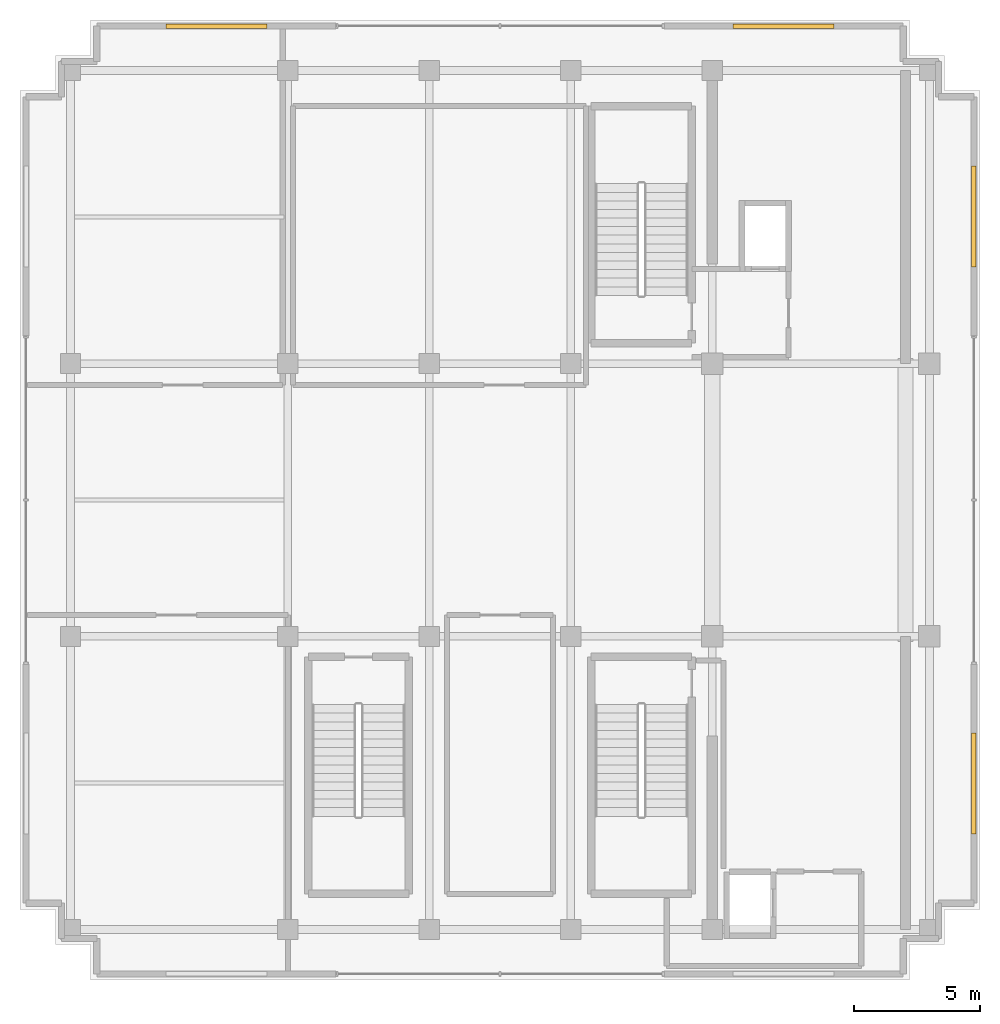
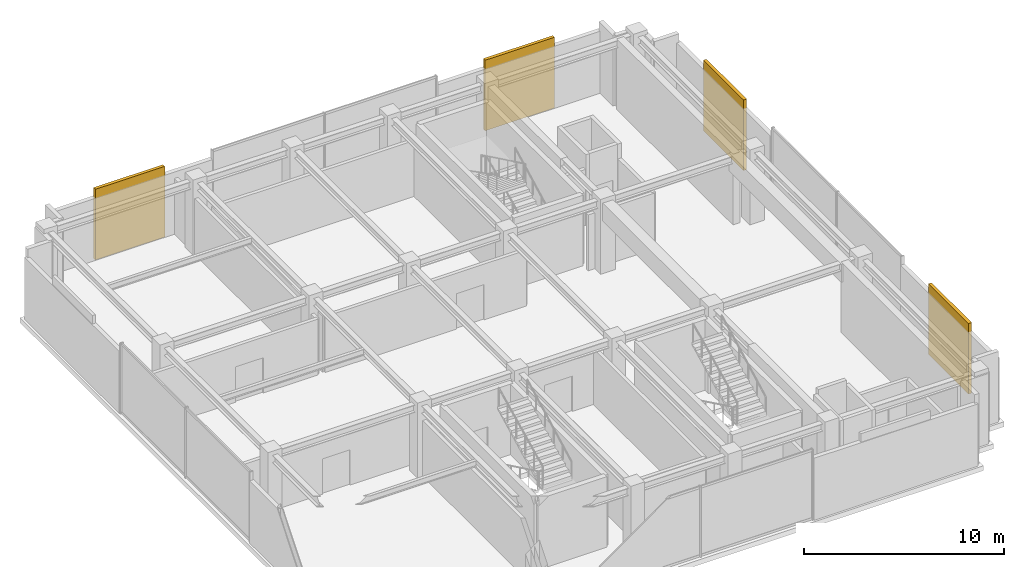
# One storey, part 18 of 18: 4 shading devices.
"""IFC4 building model written with IfcOpenShell, lengths in metres."""

from ifc_helpers import new_model, si_unit, direction, frame, origin, origin_2d, place, context, subcontext, project, spatial, rectangle, extrude, source, transform, mapped, material, layer, layer_set, type_object, element, save


model = new_model("IFC4")

# Units and contexts
model_context = context("Model", 3, precision=1e-05, world=origin(), true_north=direction((0.0, 1.0)))
body_context = subcontext(model_context, "Body", "Model", "MODEL_VIEW")
ifc_project = project(units=[si_unit("LENGTHUNIT", "METRE"), si_unit("AREAUNIT", "SQUARE_METRE"), si_unit("VOLUMEUNIT", "CUBIC_METRE"), si_unit("PLANEANGLEUNIT", "RADIAN"), si_unit("MASSUNIT", "GRAM", prefix="KILO")], contexts=[model_context])

# Site, building, storey
site_placement = place(None, origin())
site = spatial("IfcSite", under=ifc_project, at=site_placement, CompositionType="ELEMENT")
building_placement = place(site_placement, origin())
building = spatial("IfcBuilding", under=site, at=building_placement, Name="Nahalor Promenade Grand Hotel", CompositionType="ELEMENT")
storey_placement = place(building_placement, frame((0.0, 0.0, 366.25)))
storey = spatial("IfcBuildingStorey", under=building, at=storey_placement, Name="L93", CompositionType="ELEMENT", Elevation=366.25)

# Shading devices
ifc_material = material(Name="Anodised Bronze Aluminium EN AW-6063 T6", Category="aluminium")
ifc_layer = layer(ifc_material, 0.179931640625)
ifc_layer_set = layer_set([ifc_layer], Name="Anodised Bronze Aluminium EN AW-6063 T6")
shading_device_type = type_object("IfcShadingDeviceType", Name="Shade-PlantLouvre-Bronze", PredefinedType="USERDEFINED", material=ifc_layer_set)
shared_shape = source(origin(), body_context, "Body", "SweptSolid", [
    extrude(rectangle(XDim=4.0, YDim=0.179931640625, at=origin_2d()), origin(), (0.0, 0.0, 1.0), 4.300048828125),
])
for number, where, z_axis, x_axis, name in (
    (1, (-11.22998046875, 18.760009765625, 0.0), (0.0, 0.0, 1.0), (1.0, 0.0, 0.0), "LV-L93-NL"),
    (2, (11.22998046875, 18.760009765625, 0.0), (0.0, 0.0, 1.0), (1.0, 0.0, 0.0), "LV-L93-NR"),
    (3, (18.760009765625, -11.22998046875, 0.0), (0.0, 0.0, 1.0), (0.0, 1.0, 0.0), "LV-L93-EL"),
    (4, (18.760009765625, 11.22998046875, 0.0), (0.0, 0.0, 1.0), (0.0, 1.0, 0.0), "LV-L93-ER"),
):
    element("IfcShadingDevice", number, at=place(storey_placement, frame(where, z_axis=z_axis, x_axis=x_axis)), inside=storey, type_object=shading_device_type, Name=name, ObjectType="LOUVRE", PredefinedType="USERDEFINED", context=body_context, shape_type="MappedRepresentation", body=[
        mapped(shared_shape, transform((0.0, 0.0, 0.0), scale=1.0)),
    ])

save(model, "model.ifc")
